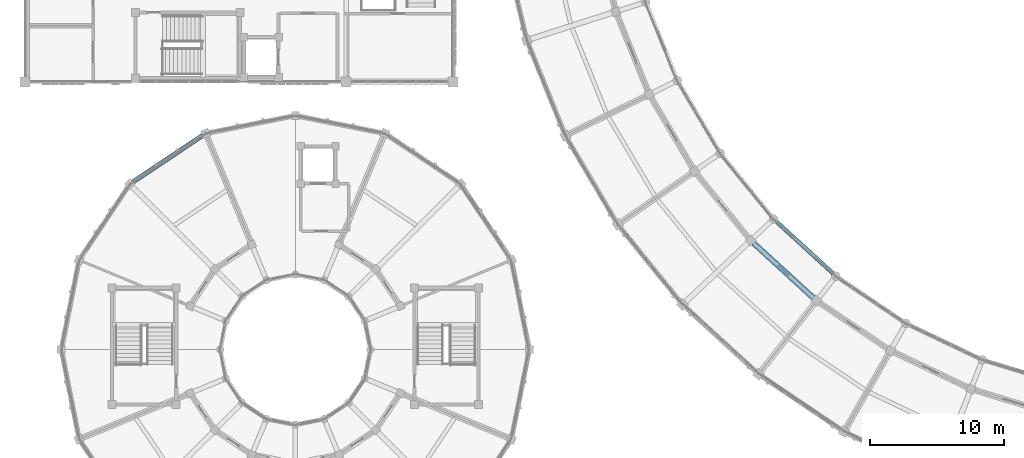
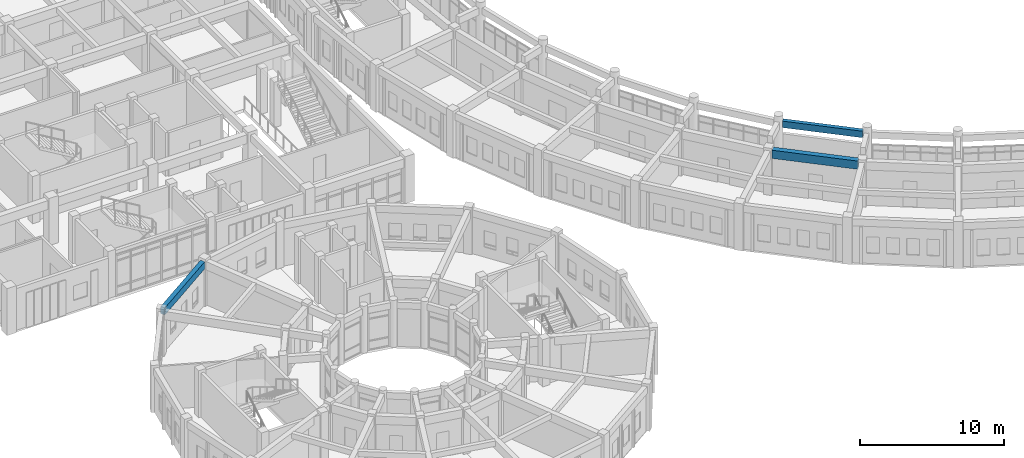
# One storey, part 19 of 159: 3 beams.
"""IFC4 building model written with IfcOpenShell, lengths in metres."""

from ifc_helpers import new_model, si_unit, direction, frame, origin, origin_2d, place, context, subcontext, project, spatial, rectangle, extrude, material, material_profile, profile_set, type_object, element, save


model = new_model("IFC4")

# Units and contexts
model_context = context("Model", 3, precision=1e-05, world=origin(), true_north=direction((0.0, 1.0)))
body_context = subcontext(model_context, "Body", "Model", "MODEL_VIEW")
ifc_project = project(units=[si_unit("LENGTHUNIT", "METRE"), si_unit("AREAUNIT", "SQUARE_METRE"), si_unit("VOLUMEUNIT", "CUBIC_METRE"), si_unit("PLANEANGLEUNIT", "RADIAN"), si_unit("MASSUNIT", "GRAM", prefix="KILO")], contexts=[model_context])

# Site, building, storey
site_placement = place(None, origin())
site = spatial("IfcSite", under=ifc_project, at=site_placement, CompositionType="ELEMENT")
building_placement = place(site_placement, origin())
building = spatial("IfcBuilding", under=site, at=building_placement, Name="Celadon Cloister-Ring School", CompositionType="ELEMENT")
storey_placement = place(building_placement, frame((0.0, 0.0, 4.5)))
storey = spatial("IfcBuildingStorey", under=building, at=storey_placement, Name="L01", CompositionType="ELEMENT", Elevation=4.5)

# Beams
ifc_material_1 = material(Name="Concrete C35/45", Category="concrete")
ifc_material_profile_1 = material_profile(ifc_material_1, rectangle(XDim=0.39990234375, YDim=0.699951171875, at=origin_2d()), Name="RC400X700")
ifc_profile_set_1 = profile_set([ifc_material_profile_1], Name="Concrete C35/45")
beam_type_1 = type_object("IfcBeamType", Name="GT-03", PredefinedType="USERDEFINED", material=ifc_profile_set_1)
beam_1_placement = place(storey_placement, frame((54.43798828125, 27.968017578125, 3.429931640625), z_axis=(0.737556649421, -0.675285264829, 0.0), x_axis=(0.675285264829, 0.737556649421, 0.0)))
element("IfcBeam", 1, at=beam_1_placement, inside=storey, type_object=beam_type_1, Name="Beam 0314", ObjectType="GIRDER", PredefinedType="USERDEFINED", context=body_context, shape_type="SweptSolid", body=[
    extrude(rectangle(XDim=0.39990234375, YDim=0.699951171875, at=origin_2d()), origin(), (0.0, 0.0, 1.0), 6.1162109375),
])
ifc_material_2 = material(Name="Concrete C35/45", Category="concrete")
ifc_material_profile_2 = material_profile(ifc_material_2, rectangle(XDim=0.35009765625, YDim=0.60009765625, at=origin_2d()), Name="RC350X600")
ifc_profile_set_2 = profile_set([ifc_material_profile_2], Name="Concrete C35/45")
beam_type_2 = type_object("IfcBeamType", Name="SP-01", PredefinedType="SPANDREL", material=ifc_profile_set_2)
beam_2_placement = place(storey_placement, frame((13.27392578125, 36.014892578125, 3.47998046875), z_axis=(-0.831427473898, -0.555633292422, 0.0), x_axis=(0.555633292422, -0.831427473898, 0.0)))
element("IfcBeam", 2, at=beam_2_placement, inside=storey, type_object=beam_type_2, Name="Beam 0961", PredefinedType="SPANDREL", context=body_context, shape_type="SweptSolid", body=[
    extrude(rectangle(XDim=0.35009765625, YDim=0.60009765625, at=origin_2d()), origin(), (0.0, 0.0, 1.0), 6.277099609375),
])
ifc_material_3 = material(Name="Concrete C35/45", Category="concrete")
ifc_material_profile_3 = material_profile(ifc_material_3, rectangle(XDim=0.300048828125, YDim=0.550048828125, at=origin_2d()), Name="RC300X550")
ifc_profile_set_3 = profile_set([ifc_material_profile_3], Name="Concrete C35/45")
beam_type_3 = type_object("IfcBeamType", Name="SP-02", PredefinedType="SPANDREL", material=ifc_profile_set_3)
beam_3_placement = place(storey_placement, frame((56.1669921875, 29.56201171875, 4.375), z_axis=(0.737627139735, -0.675208266187, 0.0), x_axis=(0.675208266187, 0.737627139735, 0.0)))
element("IfcBeam", 3, at=beam_3_placement, inside=storey, type_object=beam_type_3, Name="Beam 0315", PredefinedType="SPANDREL", context=body_context, shape_type="SweptSolid", body=[
    extrude(rectangle(XDim=0.300048828125, YDim=0.550048828125, at=origin_2d()), origin(), (0.0, 0.0, 1.0), 5.71826171875),
])

save(model, "model.ifc")
